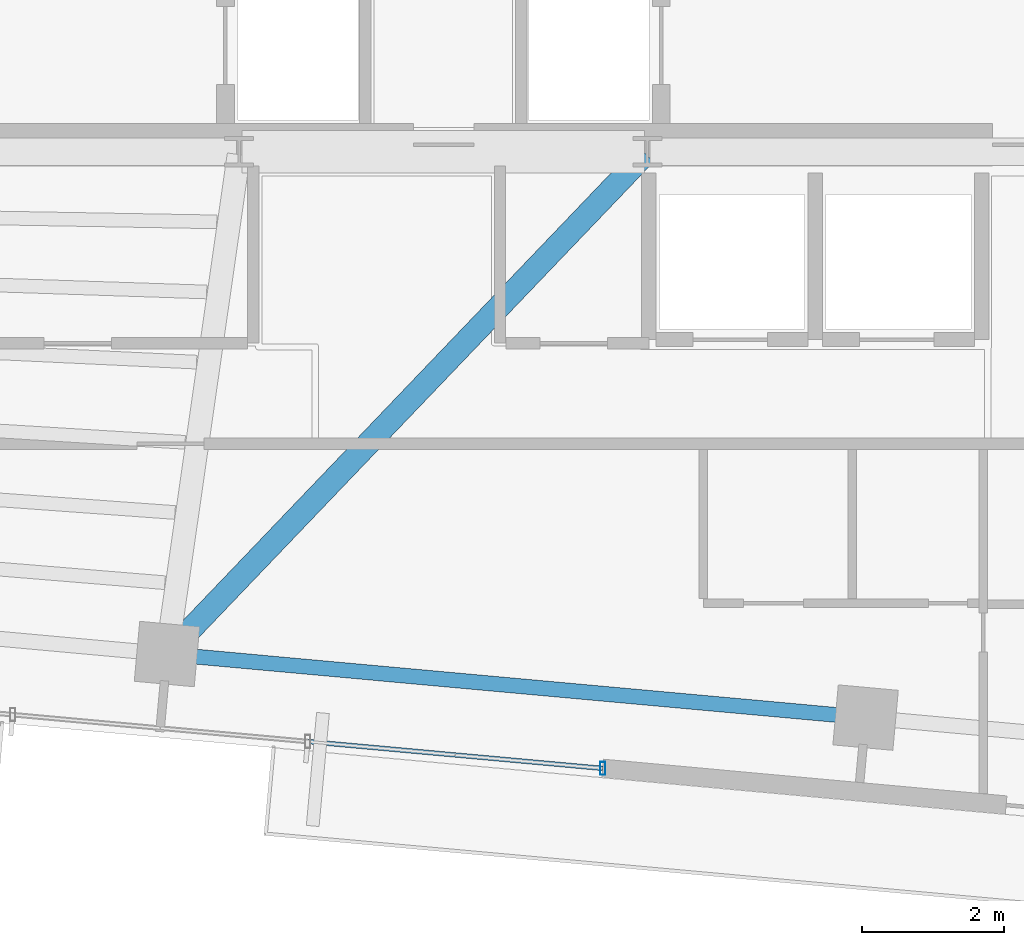
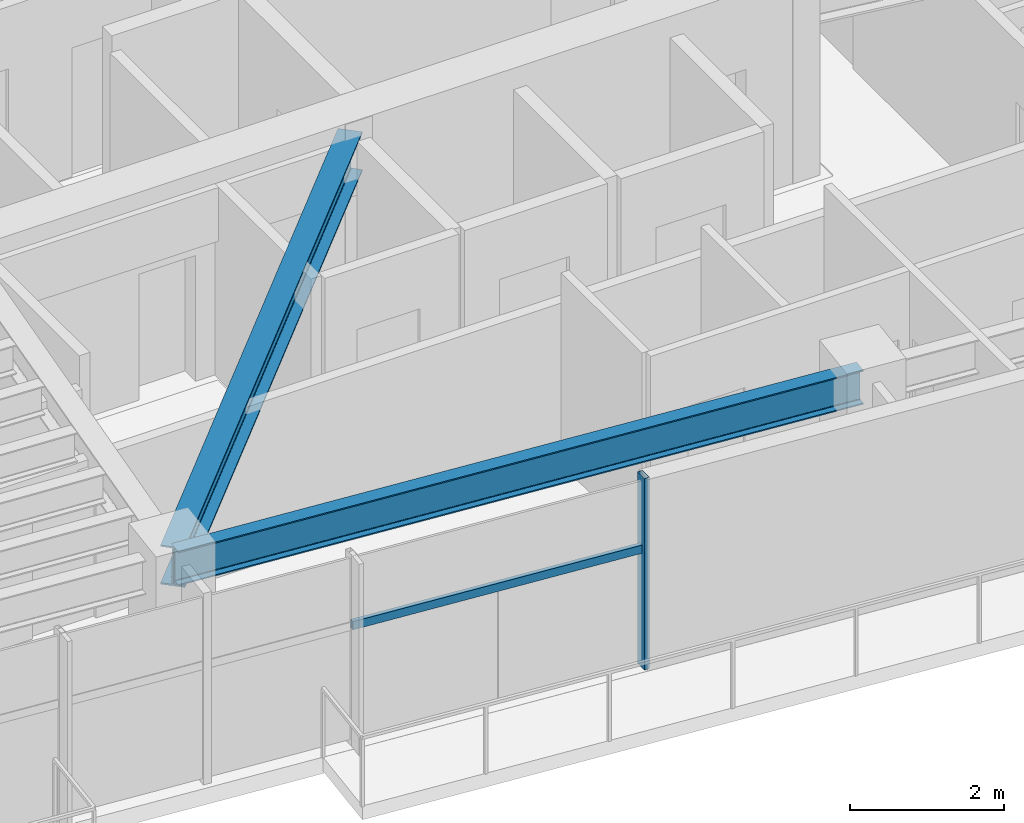
# One storey, part 7 of 22: 2 beams, 2 members, 1 element without a shape of its own.
"""IFC4 building model written with IfcOpenShell, lengths in metres."""

from ifc_helpers import new_model, si_unit, direction, frame, origin, origin_2d, place, context, subcontext, project, spatial, hollow_rectangle, i_section, extrude, source, transform, mapped, material, material_profile, profile_set, type_object, type_shapes, element, aggregate, save


model = new_model("IFC4")

# Units and contexts
model_context = context("Model", 3, precision=1e-05, world=origin(), true_north=direction((0.0, 1.0)))
body_context = subcontext(model_context, "Body", "Model", "MODEL_VIEW")
ifc_project = project(units=[si_unit("LENGTHUNIT", "METRE"), si_unit("AREAUNIT", "SQUARE_METRE"), si_unit("VOLUMEUNIT", "CUBIC_METRE"), si_unit("PLANEANGLEUNIT", "RADIAN"), si_unit("MASSUNIT", "GRAM", prefix="KILO")], contexts=[model_context])

# Site, building, storey
site_placement = place(None, origin())
site = spatial("IfcSite", under=ifc_project, at=site_placement, CompositionType="ELEMENT")
building_placement = place(site_placement, origin())
building = spatial("IfcBuilding", under=site, at=building_placement, Name="Astriad Promenade Condominiums", CompositionType="ELEMENT")
storey_placement = place(building_placement, frame((0.0, 0.0, 246.300048828125)))
storey = spatial("IfcBuildingStorey", under=building, at=storey_placement, Name="L71", CompositionType="ELEMENT", Elevation=246.300048828125)

# Beams
ifc_material_1 = material(Name="Steel ASTM A992 Grade 50", Category="steel")
ifc_material_profile_1 = material_profile(ifc_material_1, i_section(OverallWidth=0.210693359375, OverallDepth=0.53955078125, WebThickness=0.01171875, FlangeThickness=0.018798828125, FilletRadius=0.0166015625, at=origin_2d()), Name="W21X73")
ifc_profile_set_1 = profile_set([ifc_material_profile_1], Name="Steel ASTM A992 Grade 50")
beam_type_1 = type_object("IfcBeamType", Name="STEEL SPANDREL BEAM W21X73", PredefinedType="SPANDREL", material=ifc_profile_set_1)
shared_shape_1 = source(origin(), body_context, "Body", "SweptSolid", [
    extrude(i_section(OverallWidth=0.210693359375, OverallDepth=0.53955078125, WebThickness=0.01171875, FlangeThickness=0.018798828125, FilletRadius=0.0166015625, at=origin_2d()), origin(), (0.0, 0.0, 1.0), 9.820068359375),
])
type_shapes(beam_type_1, [shared_shape_1])
beam_1_placement = place(storey_placement, frame((32.14013671875, 10.30810546875, 2.770263671875), z_axis=(0.995885663174, -0.090618683965, 0.0), x_axis=(0.090618683965, 0.995885663174, 0.0)))
element("IfcBeam", 1, at=beam_1_placement, inside=storey, type_object=beam_type_1, Name="Perimeter Spandrel Beam SP-S3-L71", PredefinedType="SPANDREL", context=body_context, shape_type="MappedRepresentation", body=[
    mapped(shared_shape_1, transform((0.0, 0.0, 0.0), scale=1.0)),
])
ifc_material_profile_2 = material_profile(ifc_material_1, i_section(OverallWidth=0.326416015625, OverallDepth=0.621826171875, WebThickness=0.015380859375, FlangeThickness=0.0244140625, FilletRadius=0.017822265625, at=origin_2d()), Name="W24X131")
ifc_profile_set_2 = profile_set([ifc_material_profile_2], Name="Steel ASTM A992 Grade 50")
beam_type_2 = type_object("IfcBeamType", Name="STEEL FLOOR GIRDER W24X131", PredefinedType="BEAM", material=ifc_profile_set_2)
shared_shape_2 = source(origin(), body_context, "Body", "SweptSolid", [
    extrude(i_section(OverallWidth=0.326416015625, OverallDepth=0.621826171875, WebThickness=0.015380859375, FlangeThickness=0.0244140625, FilletRadius=0.017822265625, at=origin_2d()), origin(), (0.0, 0.0, 1.0), 9.728515625),
])
type_shapes(beam_type_2, [shared_shape_2])
beam_2_placement = place(storey_placement, frame((32.1279296875, 10.3408203125, 2.72900390625), z_axis=(0.691209540622, 0.722654392468, 0.0), x_axis=(-0.722654392468, 0.691209540622, 0.0)))
element("IfcBeam", 2, at=beam_2_placement, inside=storey, type_object=beam_type_2, Name="Primary Floor Girder PG-C2-L71", PredefinedType="BEAM", context=body_context, shape_type="MappedRepresentation", body=[
    mapped(shared_shape_2, transform((0.0, 0.0, 0.0), scale=1.0)),
])

# Curtain wall, members
ifc_material_2 = material(Name="Anodised aluminium Black Dark Glass Unitised", Category="aluminium")
curtain_wall_type = type_object("IfcCurtainWallType", Name="CW-B5-DARK", PredefinedType="USERDEFINED", material=ifc_material_2)
curtain_wall_placement = place(storey_placement, origin())
curtain_wall = element("IfcCurtainWall", 3, at=curtain_wall_placement, inside=storey, type_object=curtain_wall_type, Name="CW-L71-S", ObjectType="UNITISED_CURTAIN_WALL", PredefinedType="USERDEFINED")
ifc_material_3 = material(Name="Anodised aluminium 6063-T6 Black", Category="aluminium")
ifc_material_profile_3 = material_profile(ifc_material_3, hollow_rectangle(XDim=0.06494140625, YDim=0.1298828125, WallThickness=0.00390625, at=origin_2d()), Name="ALU-TRN-65X130")
ifc_profile_set_3 = profile_set([ifc_material_profile_3], Name="Anodised aluminium 6063-T6 Black")
member_type_1 = type_object("IfcMemberType", Name="TRN-ALU-TRN-65X130", PredefinedType="USERDEFINED", material=ifc_profile_set_3)
shared_shape_3 = source(origin(), body_context, "Body", "SweptSolid", [
    extrude(hollow_rectangle(XDim=0.06494140625, YDim=0.1298828125, WallThickness=0.00390625, at=origin_2d()), origin(), (0.0, 0.0, 1.0), 4.179931640625),
])
type_shapes(member_type_1, [shared_shape_3])
member_1_placement = place(storey_placement, frame((38.24951171875, 8.69775390625, 1.884765625), z_axis=(-0.995883146811, 0.090646334165, 0.0), x_axis=(-0.090646334165, -0.995883146811, 0.0)))
member_1 = element("IfcMember", 4, at=member_1_placement, type_object=member_type_1, Name="CW-L71-S-TRN-00-0", ObjectType="TRANSOM", PredefinedType="USERDEFINED", context=body_context, shape_type="MappedRepresentation", body=[
    mapped(shared_shape_3, transform((0.0, 0.0, 0.0), scale=1.0)),
])
ifc_material_profile_4 = material_profile(ifc_material_3, hollow_rectangle(XDim=0.074951171875, YDim=0.18505859375, WallThickness=0.00439453125, at=origin_2d()), Name="ALU-MUL-75X185")
ifc_profile_set_4 = profile_set([ifc_material_profile_4], Name="Anodised aluminium 6063-T6 Black")
member_type_2 = type_object("IfcMemberType", Name="MUL-ALU-MUL-75X185", PredefinedType="MULLION", material=ifc_profile_set_4)
shared_shape_4 = source(origin(), body_context, "Body", "SweptSolid", [
    extrude(hollow_rectangle(XDim=0.074951171875, YDim=0.18505859375, WallThickness=0.00439453125, at=origin_2d()), origin(), (0.0, 0.0, 1.0), 3.0400390625),
])
type_shapes(member_type_2, [shared_shape_4])
member_2_placement = place(storey_placement, frame((38.24951171875, 8.69775390625, 0.0), z_axis=(0.0, 0.0, 1.0), x_axis=(1.0, 0.0, 0.0)))
member_2 = element("IfcMember", 5, at=member_2_placement, type_object=member_type_2, Name="CW-L71-S-MUL-00", PredefinedType="MULLION", context=body_context, shape_type="MappedRepresentation", body=[
    mapped(shared_shape_4, transform((0.0, 0.0, 0.0), scale=1.0)),
])
aggregate(curtain_wall, [member_2, member_1])

save(model, "model.ifc")
